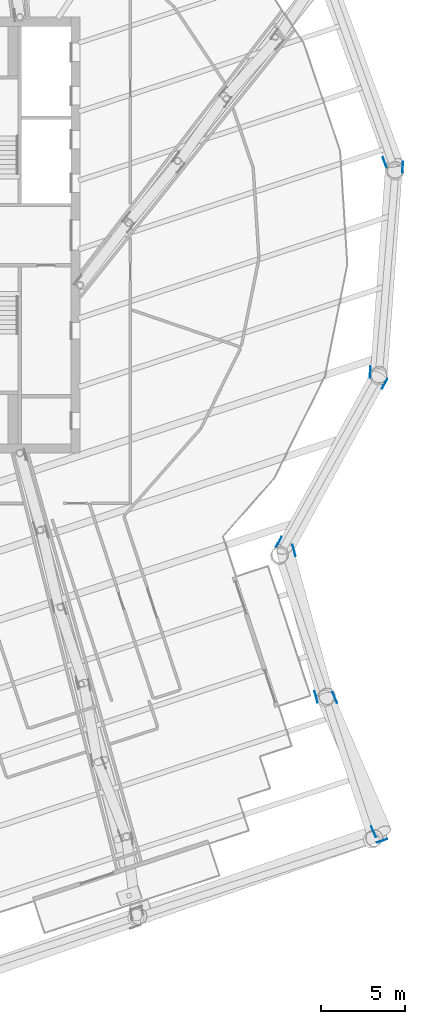
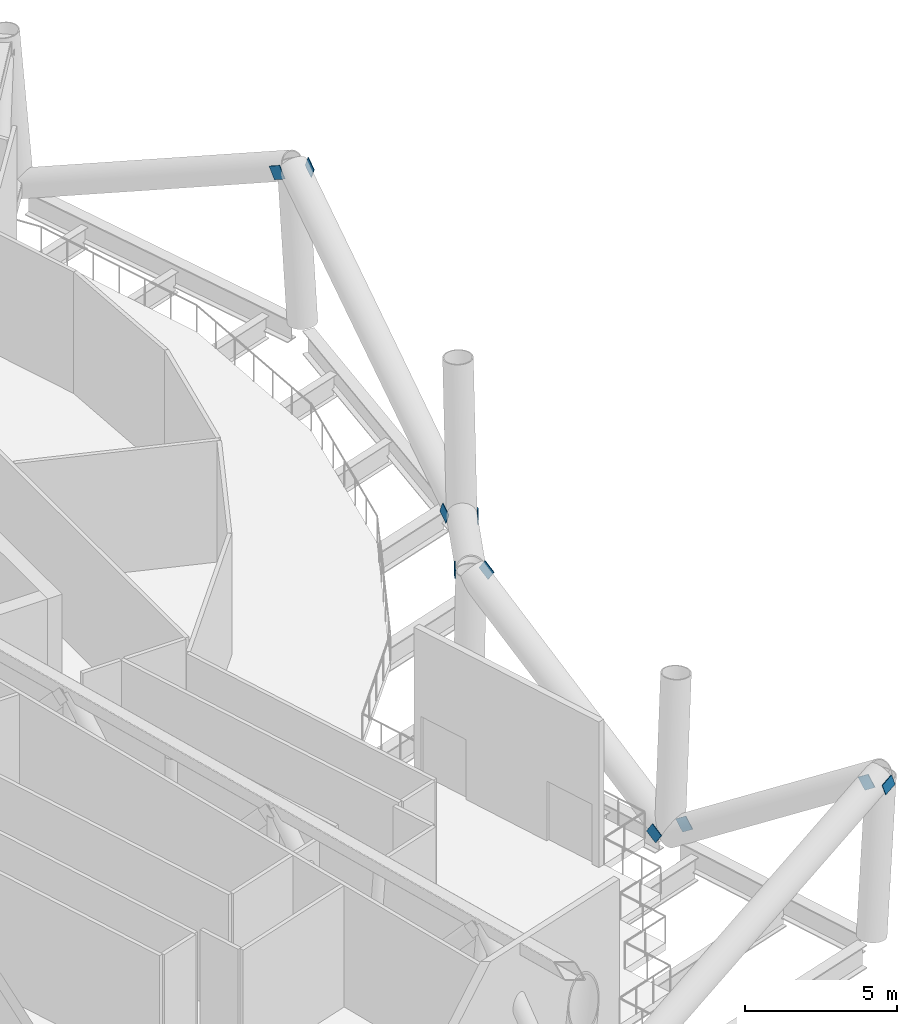
# One storey, part 21 of 33: 10 discrete accessories.
"""IFC4 building model written with IfcOpenShell, lengths in metres."""

from ifc_helpers import new_model, si_unit, direction, frame, origin, origin_2d, place, context, subcontext, project, spatial, rectangle, extrude, material, material_profile, profile_set, type_object, element, save


model = new_model("IFC4")

# Units and contexts
model_context = context("Model", 3, precision=1e-05, world=origin(), true_north=direction((0.0, 1.0)))
body_context = subcontext(model_context, "Body", "Model", "MODEL_VIEW")
ifc_project = project(units=[si_unit("LENGTHUNIT", "METRE"), si_unit("AREAUNIT", "SQUARE_METRE"), si_unit("VOLUMEUNIT", "CUBIC_METRE"), si_unit("PLANEANGLEUNIT", "RADIAN"), si_unit("MASSUNIT", "GRAM", prefix="KILO")], contexts=[model_context])

# Site, building, storey
site_placement = place(None, origin())
site = spatial("IfcSite", under=ifc_project, at=site_placement, CompositionType="ELEMENT")
building_placement = place(site_placement, origin())
building = spatial("IfcBuilding", under=site, at=building_placement, Name="Tarsis Ring Headquarters", CompositionType="ELEMENT")
storey_placement = place(building_placement, frame((0.0, 0.0, 302.0)))
storey = spatial("IfcBuildingStorey", under=building, at=storey_placement, Name="L71", CompositionType="ELEMENT", Elevation=302.0)

# Discrete accessories
ifc_material = material(Name="Structural steel S355", Category="steel")
ifc_material_profile = material_profile(ifc_material, rectangle(XDim=0.02490234375, YDim=0.5, at=origin_2d()), Name="PL 25x500")
ifc_profile_set = profile_set([ifc_material_profile], Name="Structural steel S355")
discrete_accessory_type = type_object("IfcDiscreteAccessoryType", Name="Gusset plate Belt truss 25", PredefinedType="BRACKET", material=ifc_profile_set)
discrete_accessory_1_placement = place(storey_placement, frame((28.22314453125, -36.043701171875, 6.0), z_axis=(-0.881368564895, -0.306647899587, -0.35938352563), x_axis=(0.328601802678, -0.944468557061, 0.0)))
element("IfcDiscreteAccessory", 1, at=discrete_accessory_1_placement, inside=storey, type_object=discrete_accessory_type, Name="Gusset plate GP4", PredefinedType="BRACKET", context=body_context, shape_type="SweptSolid", body=[
    extrude(rectangle(XDim=0.02490234375, YDim=0.5, at=origin_2d()), origin(), (0.0, 0.0, 1.0), 0.5),
])
discrete_accessory_2_placement = place(storey_placement, frame((25.10595703125, -27.390869140625, 0.0), z_axis=(0.324800241754, -0.7550995094, 0.569499371255), x_axis=(0.918621741831, 0.395138071357, 0.0)))
element("IfcDiscreteAccessory", 2, at=discrete_accessory_2_placement, inside=storey, type_object=discrete_accessory_type, Name="Gusset plate GP4", PredefinedType="BRACKET", context=body_context, shape_type="SweptSolid", body=[
    extrude(rectangle(XDim=0.02490234375, YDim=0.5, at=origin_2d()), origin(), (0.0, 0.0, 1.0), 0.499755859375),
])
for number, where, z_axis, x_axis, name in (
    (3, (27.57421875, -35.7578125, 6.0), (-0.325237033069, 0.754979659345, -0.569408979817), (-0.918405974242, -0.395639313613, 0.0), "Gusset plate GP4"),
    (4, (24.125732421875, -27.734375, 0.0), (-0.221164489364, 0.807518908186, 0.546808450525), (-0.964480675838, -0.264153413636, 0.0), "Gusset plate GP4"),
):
    element("IfcDiscreteAccessory", number, at=place(storey_placement, frame(where, z_axis=z_axis, x_axis=x_axis)), inside=storey, type_object=discrete_accessory_type, Name=name, PredefinedType="BRACKET", context=body_context, shape_type="SweptSolid", body=[
        extrude(rectangle(XDim=0.02490234375, YDim=0.5, at=origin_2d()), origin(), (0.0, 0.0, 1.0), 0.5),
    ])
for number, where, z_axis, x_axis, name in (
    (5, (22.698974609375, -18.600341796875, 6.0), (0.22125170831, -0.807348948865, -0.547024091185), (0.9644399531, 0.264302056113, 0.0), "Gusset plate GP4"),
    (6, (28.256103515625, -8.67724609375, 0.0), (-0.424925060864, -0.782448215523, 0.455207076696), (0.878774561502, -0.477237121415, 0.0), "Gusset plate GP4"),
):
    element("IfcDiscreteAccessory", number, at=place(storey_placement, frame(where, z_axis=z_axis, x_axis=x_axis)), inside=storey, type_object=discrete_accessory_type, Name=name, PredefinedType="BRACKET", context=body_context, shape_type="SweptSolid", body=[
        extrude(rectangle(XDim=0.02490234375, YDim=0.5, at=origin_2d()), origin(), (0.0, 0.0, 1.0), 0.499755859375),
    ])
for number, where, z_axis, x_axis, name in (
    (7, (21.739501953125, -18.489501953125, 6.0), (0.42532516619, 0.782285782132, -0.45511257737), (-0.878544467348, 0.477660568702, 0.0), "Gusset plate GP4"),
    (8, (27.27978515625, -8.390869140625, 0.0), (0.065907260859, 0.902685372803, 0.425223883024), (-0.997345201344, 0.072818605831, 0.0), "Gusset plate GP4"),
):
    element("IfcDiscreteAccessory", number, at=place(storey_placement, frame(where, z_axis=z_axis, x_axis=x_axis)), inside=storey, type_object=discrete_accessory_type, Name=name, PredefinedType="BRACKET", context=body_context, shape_type="SweptSolid", body=[
        extrude(rectangle(XDim=0.02490234375, YDim=0.5, at=origin_2d()), origin(), (0.0, 0.0, 1.0), 0.5),
    ])
for number, where, z_axis, x_axis, name in (
    (9, (29.247314453125, 4.26318359375, 6.0), (-0.065449999903, -0.902623879266, -0.425424999373), (0.997381411845, -0.07232094653, 0.0), "Gusset plate GP4"),
    (10, (28.23974609375, 4.121826171875, 6.0), (-0.307221138354, 0.835700107668, -0.455214786877), (-0.93858639122, -0.345044325002, 0.0), "Gusset plate GP4"),
):
    element("IfcDiscreteAccessory", number, at=place(storey_placement, frame(where, z_axis=z_axis, x_axis=x_axis)), inside=storey, type_object=discrete_accessory_type, Name=name, PredefinedType="BRACKET", context=body_context, shape_type="SweptSolid", body=[
        extrude(rectangle(XDim=0.02490234375, YDim=0.5, at=origin_2d()), origin(), (0.0, 0.0, 1.0), 0.499755859375),
    ])

save(model, "model.ifc")
